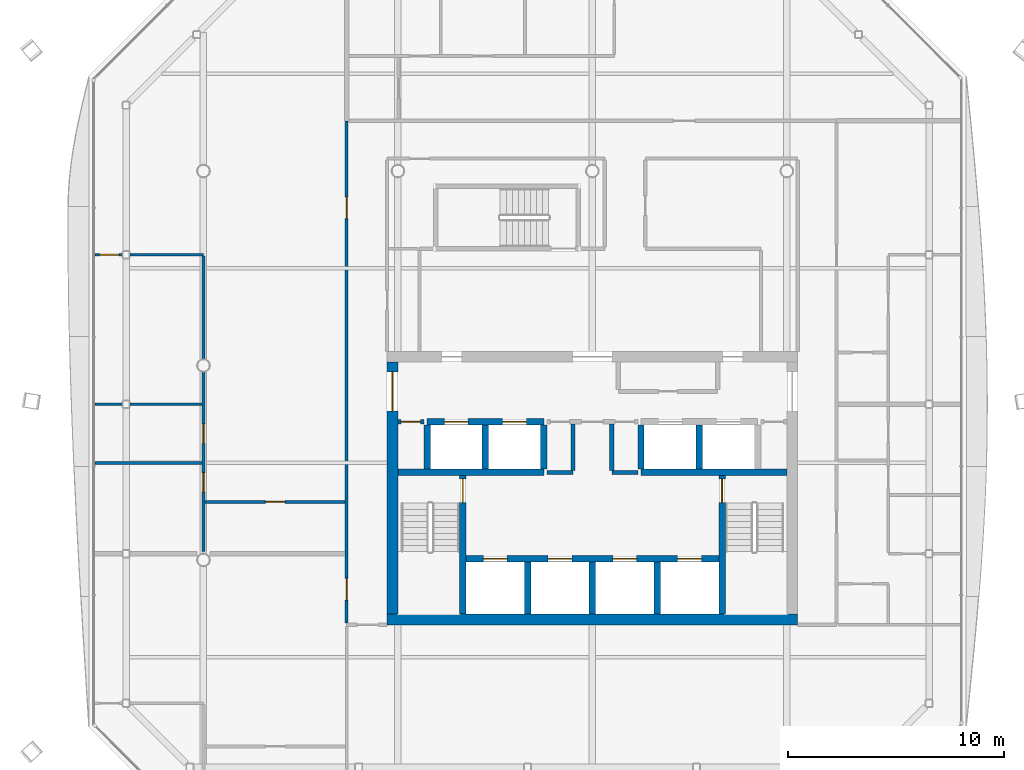
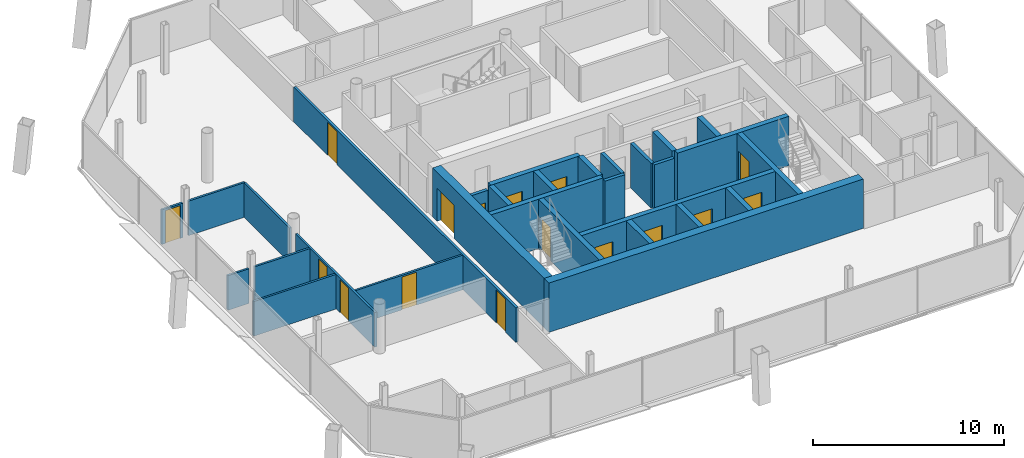
# One storey, part 14 of 20: 30 walls, 16 doors, 16 openings.
"""IFC4 building model written with IfcOpenShell, lengths in metres."""

import ifcopenshell
import ifcopenshell.guid

model = None  # the IFC model being written
_history = None  # IfcOwnerHistory: only IFC2X3 demands one
_inside = {}  # id of a spatial element -> (the spatial element, [elements in it])
_under = {}  # id of a project, library or spatial element -> (it, [spatial elements below it])
_declared = {}  # id of a project -> (the project, [libraries it declares])
_typed = {}  # id of a type object -> (the type object, [elements of that type])
_made_of = {}  # id of a material, layer set ... -> (it, [elements and type objects made of it])


def new_model(schema):
    """Start an empty IFC model of exactly this schema.

    Asked for "IFC4X3", IfcOpenShell would pick the latest addendum, in which some entities
    have other attributes; the version numbers below select the first issue.
    IFC2X3 requires an IfcOwnerHistory on every rooted entity: one is made here for all.
    """
    global model, _history
    if schema == "IFC4X3":
        model = ifcopenshell.file(schema_version=(4, 3, 0, 0))
    else:
        model = ifcopenshell.file(schema=schema)
    _inside.clear()
    _under.clear()
    _declared.clear()
    _typed.clear()
    _made_of.clear()
    _history = None
    if model.schema == "IFC2X3":
        org = make("IfcOrganization", Name="unknown")
        user = make(
            "IfcPersonAndOrganization",
            ThePerson=make("IfcPerson", FamilyName="unknown"),
            TheOrganization=org,
        )
        app = make(
            "IfcApplication",
            ApplicationDeveloper=org,
            Version="unknown",
            ApplicationFullName="unknown",
            ApplicationIdentifier="unknown",
        )
        _history = make(
            "IfcOwnerHistory",
            OwningUser=user,
            OwningApplication=app,
            ChangeAction="ADDED",
            CreationDate=0,
        )
    return model


def make(cls, **values):
    """One entity of the class cls with the attributes given. An attribute that is None is left unset."""
    return model.create_entity(
        cls, **{name: value for name, value in values.items() if value is not None}
    )


def rooted(cls, **values):
    """An entity with a GlobalId (a new one), such as an element, a storey or a relation."""
    return make(cls, GlobalId=ifcopenshell.guid.new(), OwnerHistory=_history, **values)


def si_unit(unit_type, name, prefix=None):
    """IfcSIUnit, for example si_unit("LENGTHUNIT", "METRE", prefix="MILLI")."""
    return make("IfcSIUnit", UnitType=unit_type, Prefix=prefix, Name=name)


def assignment(units):
    """IfcUnitAssignment: the units of a project."""
    return None if units is None else make("IfcUnitAssignment", Units=units)


def point(xyz):
    """IfcCartesianPoint."""
    return None if xyz is None else make("IfcCartesianPoint", Coordinates=xyz)


def direction(xyz):
    """IfcDirection."""
    return None if xyz is None else make("IfcDirection", DirectionRatios=xyz)


def frame(location, z_axis=None, x_axis=None):
    """IfcAxis2Placement3D, a coordinate frame: its origin and axes. An axis left out is left unset."""
    return make(
        "IfcAxis2Placement3D",
        Location=point(location),
        Axis=direction(z_axis),
        RefDirection=direction(x_axis),
    )


def frame_2d(location, x_axis=None):
    """IfcAxis2Placement2D, a coordinate frame in the plane: its origin and x axis."""
    return make(
        "IfcAxis2Placement2D", Location=point(location), RefDirection=direction(x_axis)
    )


def origin():
    """The frame at (0, 0, 0) with its axes left unset."""
    return frame((0.0, 0.0, 0.0))


def place(relative_to, where):
    """IfcLocalPlacement: puts the frame where relative to a parent placement (None: the world)."""
    return make(
        "IfcLocalPlacement", PlacementRelTo=relative_to, RelativePlacement=where
    )


def context(
    kind, dimensions, precision=None, world=None, true_north=None, identifier=None
):
    """IfcGeometricRepresentationContext, for example the 3D "Model" context."""
    return make(
        "IfcGeometricRepresentationContext",
        ContextIdentifier=identifier,
        ContextType=kind,
        CoordinateSpaceDimension=dimensions,
        Precision=precision,
        WorldCoordinateSystem=world,
        TrueNorth=true_north,
    )


def subcontext(parent, identifier, kind, view, scale=None):
    """IfcGeometricRepresentationSubContext, for example "Body" below "Model"."""
    return make(
        "IfcGeometricRepresentationSubContext",
        ContextIdentifier=identifier,
        ContextType=kind,
        ParentContext=parent,
        TargetScale=scale,
        TargetView=view,
    )


def project(units=None, contexts=None):
    """IfcProject with its units and contexts."""
    return rooted(
        "IfcProject",
        Name="project",
        RepresentationContexts=contexts,
        UnitsInContext=assignment(units),
    )


def spatial(cls, under=None, at=None, **own):
    """A site, building, storey or space (cls), placed at a placement, below another one or the project."""
    s = rooted(cls, ObjectPlacement=at, **own)
    if under is not None:
        _under.setdefault(under.id(), (under, []))[1].append(s)
    return s


def profile(cls, at=None, kind="AREA", **sizes):
    """A parametric profile (cls). Its sizes go by their IFC names, for example OverallWidth=200.0."""
    return make(cls, ProfileType=kind, Position=at, **sizes)


def rectangle(**sizes):
    """IfcRectangleProfileDef."""
    return profile("IfcRectangleProfileDef", **sizes)


def extrude(swept, where, along, depth):
    """IfcExtrudedAreaSolid: the profile swept, set in the frame where, extruded along a direction by depth."""
    return make(
        "IfcExtrudedAreaSolid",
        SweptArea=swept,
        Position=where,
        ExtrudedDirection=direction(along),
        Depth=depth,
    )


def shape(context_of_items, identifier, shape_type, items):
    """IfcShapeRepresentation: the items that make up one representation, for example the "Body"."""
    return make(
        "IfcShapeRepresentation",
        ContextOfItems=context_of_items,
        RepresentationIdentifier=identifier,
        RepresentationType=shape_type,
        Items=items,
    )


def material(Name=None, Category=None):
    """IfcMaterial."""
    return make("IfcMaterial", Name=Name, Category=Category)


def layer(
    of_material, thickness, ventilated=None, Name=None, Category=None, Priority=None
):
    """IfcMaterialLayer: one layer of a wall or slab, of a material (None: an air gap)."""
    return make(
        "IfcMaterialLayer",
        Material=of_material,
        LayerThickness=thickness,
        IsVentilated=ventilated,
        Name=Name,
        Category=Category,
        Priority=Priority,
    )


def layer_set(layers, Name=None):
    """IfcMaterialLayerSet."""
    return make("IfcMaterialLayerSet", MaterialLayers=layers, LayerSetName=Name)


def made_of(thing, what):
    """Note that an element or type object is made of a material, layer set ...; save() writes the relation."""
    if what is not None:
        _made_of.setdefault(what.id(), (what, []))[1].append(thing)
    return thing


def type_object(cls, material=None, **own):
    """A type object (cls), such as IfcWallType, which elements share."""
    return made_of(rooted(cls, **own), material)


def element(
    cls,
    number,
    at=None,
    inside=None,
    cuts=None,
    type_object=None,
    material=None,
    context=None,
    identifier="Body",
    shape_type=None,
    held_by="IfcProductDefinitionShape",
    body=None,
    shapes=None,
    **own,
):
    """One element of the class cls, such as IfcWall. Its Tag is "e" and its number.

    at: its placement. inside: the storey or other place that contains it. cuts: it is an
    opening in that element (IfcRelVoidsElement). A single representation is given by context,
    identifier, shape_type and body (its items); several are given by shapes. held_by: the class
    of the entity that holds the representations. save() writes the other relations.
    """
    e = rooted(cls, Tag="e%d" % number, ObjectPlacement=at, **own)
    if body is not None:
        shapes = [shape(context, identifier, shape_type, body)]
    if shapes is not None:
        e.Representation = make(held_by, Representations=shapes)
    if inside is not None:
        _inside.setdefault(inside.id(), (inside, []))[1].append(e)
    if cuts is not None:
        rooted(
            "IfcRelVoidsElement", RelatingBuildingElement=cuts, RelatedOpeningElement=e
        )
    if type_object is not None:
        _typed.setdefault(type_object.id(), (type_object, []))[1].append(e)
    return made_of(e, material)


def fill(opening, filler):
    """IfcRelFillsElement: the door or window that sits in an opening."""
    return rooted(
        "IfcRelFillsElement",
        RelatingOpeningElement=opening,
        RelatedBuildingElement=filler,
    )


def aggregate(whole, parts):
    """IfcRelAggregates: a whole, such as a stair, and the parts it consists of."""
    return rooted("IfcRelAggregates", RelatingObject=whole, RelatedObjects=parts)


def save(model, path):
    """Write the relations noted so far, then the file.

    IfcRelAggregates (storeys below a building ...), IfcRelContainedInSpatialStructure (elements
    in a storey), IfcRelDefinesByType, IfcRelAssociatesMaterial and IfcRelDeclares: one each for
    every whole, place, type object, material and project.
    """
    for whole, parts in _under.values():
        aggregate(whole, parts)
    for where, things in _inside.values():
        rooted(
            "IfcRelContainedInSpatialStructure",
            RelatedElements=things,
            RelatingStructure=where,
        )
    for kind, things in _typed.values():
        rooted("IfcRelDefinesByType", RelatedObjects=things, RelatingType=kind)
    for what, things in _made_of.values():
        rooted("IfcRelAssociatesMaterial", RelatedObjects=things, RelatingMaterial=what)
    for by, libraries in _declared.values():
        rooted("IfcRelDeclares", RelatingContext=by, RelatedDefinitions=libraries)
    model.write(path)


model = new_model("IFC4")

# Units and contexts
model_context = context("Model", 3, precision=1e-05, world=origin(), true_north=direction((0.0, 1.0)))
body_context = subcontext(model_context, "Body", "Model", "MODEL_VIEW")
ifc_project = project(units=[si_unit("LENGTHUNIT", "METRE"), si_unit("AREAUNIT", "SQUARE_METRE"), si_unit("VOLUMEUNIT", "CUBIC_METRE"), si_unit("PLANEANGLEUNIT", "RADIAN"), si_unit("MASSUNIT", "GRAM", prefix="KILO")], contexts=[model_context])

# Site, building, storey
site_placement = place(None, origin())
site = spatial("IfcSite", under=ifc_project, at=site_placement, CompositionType="ELEMENT")
building_placement = place(site_placement, origin())
building = spatial("IfcBuilding", under=site, at=building_placement, Name="Tskaro Facet Tower", CompositionType="ELEMENT")
storey_placement = place(building_placement, frame((0.0, 0.0, 194.25)))
storey = spatial("IfcBuildingStorey", under=building, at=storey_placement, Name="L49", CompositionType="ELEMENT", Elevation=194.25)

# Wall, openings, doors
ifc_material_1 = material(Name="Concrete C60/75", Category="concrete")
ifc_layer_1 = layer(ifc_material_1, 0.300048828125, Name="Concrete C60/75")
ifc_layer_set_1 = layer_set([ifc_layer_1], Name="Concrete C60/75")
wall_type_1 = type_object("IfcWallType", Name="CORE-SHAFT", PredefinedType="SHEAR", material=ifc_layer_set_1)
wall_1_placement = place(storey_placement, frame((-5.85009765625, -8.949951171875, 0.0), z_axis=(0.0, 0.0, 1.0), x_axis=(1.0, 0.0, 0.0)))
wall_1 = element("IfcWall", 1, at=wall_1_placement, inside=storey, type_object=wall_type_1, Name="Shaft wall W008", PredefinedType="SHEAR", context=body_context, shape_type="SweptSolid", body=[
    extrude(rectangle(XDim=11.7001953125, YDim=0.300048828125, at=frame_2d((5.85009765625, 0.0))), origin(), (0.0, 0.0, 1.0), 3.14990234375),
])
opening_1_placement = place(wall_1_placement, frame((0.800048828125, 0.0, 0.0)))
opening_1 = element("IfcOpeningElement", 2, at=opening_1_placement, cuts=wall_1, Name="Opening LD-FF1", PredefinedType="OPENING", context=body_context, shape_type="SweptSolid", body=[
    extrude(rectangle(XDim=1.10009765625, YDim=2.10009765625, at=frame_2d((0.550048828125, 1.050048828125))), frame((0.0, 0.159912109375, 0.0), z_axis=(0.0, -1.0, 0.0), x_axis=(1.0, 0.0, 0.0)), (0.0, 0.0, 1.0), 0.320068359375),
])
opening_2_placement = place(wall_1_placement, frame((3.800048828125, 0.0, 0.0)))
opening_2 = element("IfcOpeningElement", 3, at=opening_2_placement, cuts=wall_1, Name="Opening LD-FF2", PredefinedType="OPENING", context=body_context, shape_type="SweptSolid", body=[
    extrude(rectangle(XDim=1.10009765625, YDim=2.10009765625, at=frame_2d((0.550048828125, 1.050048828125))), frame((0.0, 0.159912109375, 0.0), z_axis=(0.0, -1.0, 0.0), x_axis=(1.0, 0.0, 0.0)), (0.0, 0.0, 1.0), 0.320068359375),
])
opening_3_placement = place(wall_1_placement, frame((6.800048828125, 0.0, 0.0)))
opening_3 = element("IfcOpeningElement", 4, at=opening_3_placement, cuts=wall_1, Name="Opening LD-SV1", PredefinedType="OPENING", context=body_context, shape_type="SweptSolid", body=[
    extrude(rectangle(XDim=1.10009765625, YDim=2.10009765625, at=frame_2d((0.550048828125, 1.050048828125))), frame((0.0, 0.159912109375, 0.0), z_axis=(0.0, -1.0, 0.0), x_axis=(1.0, 0.0, 0.0)), (0.0, 0.0, 1.0), 0.320068359375),
])
opening_4_placement = place(wall_1_placement, frame((9.800048828125, 0.0, 0.0)))
opening_4 = element("IfcOpeningElement", 5, at=opening_4_placement, cuts=wall_1, Name="Opening LD-SV2", PredefinedType="OPENING", context=body_context, shape_type="SweptSolid", body=[
    extrude(rectangle(XDim=1.10009765625, YDim=2.10009765625, at=frame_2d((0.550048828125, 1.050048828125))), frame((0.0, 0.159912109375, 0.0), z_axis=(0.0, -1.0, 0.0), x_axis=(1.0, 0.0, 0.0)), (0.0, 0.0, 1.0), 0.320068359375),
])
ifc_material_2 = material(Name="Stainless steel", Category="steel")
door_type_1 = type_object("IfcDoorType", Name="D-LANDING", OperationType="NOTDEFINED", PredefinedType="DOOR", material=ifc_material_2)
door_1_placement = place(opening_1_placement, origin())
door_1 = element("IfcDoor", 6, at=door_1_placement, inside=storey, type_object=door_type_1, Name="Landing door FF1", OperationType="DOUBLE_DOOR_SLIDING", OverallHeight=2.10009765625, OverallWidth=1.10009765625, PredefinedType="DOOR", context=body_context, shape_type="SweptSolid", body=[
    extrude(rectangle(XDim=1.10009765625, YDim=2.10009765625, at=frame_2d((0.550048828125, 1.050048828125))), frame((0.0, 0.02490234375, 0.0), z_axis=(0.0, -1.0, 0.0), x_axis=(1.0, 0.0, 0.0)), (0.0, 0.0, 1.0), 0.050048828125),
])
fill(opening_1, door_1)
door_2_placement = place(opening_2_placement, origin())
door_2 = element("IfcDoor", 7, at=door_2_placement, inside=storey, type_object=door_type_1, Name="Landing door FF2", OperationType="DOUBLE_DOOR_SLIDING", OverallHeight=2.10009765625, OverallWidth=1.10009765625, PredefinedType="DOOR", context=body_context, shape_type="SweptSolid", body=[
    extrude(rectangle(XDim=1.10009765625, YDim=2.10009765625, at=frame_2d((0.550048828125, 1.050048828125))), frame((0.0, 0.02490234375, 0.0), z_axis=(0.0, -1.0, 0.0), x_axis=(1.0, 0.0, 0.0)), (0.0, 0.0, 1.0), 0.050048828125),
])
fill(opening_2, door_2)
door_3_placement = place(opening_3_placement, origin())
door_3 = element("IfcDoor", 8, at=door_3_placement, inside=storey, type_object=door_type_1, Name="Landing door SV1", OperationType="DOUBLE_DOOR_SLIDING", OverallHeight=2.10009765625, OverallWidth=1.10009765625, PredefinedType="DOOR", context=body_context, shape_type="SweptSolid", body=[
    extrude(rectangle(XDim=1.10009765625, YDim=2.10009765625, at=frame_2d((0.550048828125, 1.050048828125))), frame((0.0, 0.02490234375, 0.0), z_axis=(0.0, -1.0, 0.0), x_axis=(1.0, 0.0, 0.0)), (0.0, 0.0, 1.0), 0.050048828125),
])
fill(opening_3, door_3)
door_4_placement = place(opening_4_placement, origin())
door_4 = element("IfcDoor", 9, at=door_4_placement, inside=storey, type_object=door_type_1, Name="Landing door SV2", OperationType="DOUBLE_DOOR_SLIDING", OverallHeight=2.10009765625, OverallWidth=1.10009765625, PredefinedType="DOOR", context=body_context, shape_type="SweptSolid", body=[
    extrude(rectangle(XDim=1.10009765625, YDim=2.10009765625, at=frame_2d((0.550048828125, 1.050048828125))), frame((0.0, 0.02490234375, 0.0), z_axis=(0.0, -1.0, 0.0), x_axis=(1.0, 0.0, 0.0)), (0.0, 0.0, 1.0), 0.050048828125),
])
fill(opening_4, door_4)

# Walls
for number, where, z_axis, x_axis, name in (
    (10, (-9.0, -4.949951171875, 0.0), (0.0, 0.0, 1.0), (1.0, 0.0, 0.0), "Shaft wall W016"),
    (11, (2.25, -4.949951171875, 0.0), (0.0, 0.0, 1.0), (1.0, 0.0, 0.0), "Shaft wall W019"),
):
    element("IfcWall", number, at=place(storey_placement, frame(where, z_axis=z_axis, x_axis=x_axis)), inside=storey, type_object=wall_type_1, Name=name, PredefinedType="SHEAR", context=body_context, shape_type="SweptSolid", body=[
        extrude(rectangle(XDim=6.75, YDim=0.300048828125, at=frame_2d((3.375, 0.0))), origin(), (0.0, 0.0, 1.0), 3.14990234375),
    ])

# Wall, openings, doors
wall_2_placement = place(storey_placement, frame((-7.64990234375, -2.60009765625, 0.0), z_axis=(0.0, 0.0, 1.0), x_axis=(1.0, 0.0, 0.0)))
wall_2 = element("IfcWall", 12, at=wall_2_placement, inside=storey, type_object=wall_type_1, Name="Shaft wall W023", PredefinedType="SHEAR", context=body_context, shape_type="SweptSolid", body=[
    extrude(rectangle(XDim=5.39990234375, YDim=0.300048828125, at=frame_2d((2.699951171875, 0.0))), origin(), (0.0, 0.0, 1.0), 3.14990234375),
])
opening_5_placement = place(wall_2_placement, frame((0.800048828125, 0.0, 0.0)))
opening_5 = element("IfcOpeningElement", 13, at=opening_5_placement, cuts=wall_2, Name="Opening LD-HB1", PredefinedType="OPENING", context=body_context, shape_type="SweptSolid", body=[
    extrude(rectangle(XDim=1.10009765625, YDim=2.10009765625, at=frame_2d((0.550048828125, 1.050048828125))), frame((0.0, 0.159912109375, 0.0), z_axis=(0.0, -1.0, 0.0), x_axis=(1.0, 0.0, 0.0)), (0.0, 0.0, 1.0), 0.320068359375),
])
opening_6_placement = place(wall_2_placement, frame((3.5, 0.0, 0.0)))
opening_6 = element("IfcOpeningElement", 14, at=opening_6_placement, cuts=wall_2, Name="Opening LD-HB2", PredefinedType="OPENING", context=body_context, shape_type="SweptSolid", body=[
    extrude(rectangle(XDim=1.10009765625, YDim=2.10009765625, at=frame_2d((0.550048828125, 1.050048828125))), frame((0.0, 0.159912109375, 0.0), z_axis=(0.0, -1.0, 0.0), x_axis=(1.0, 0.0, 0.0)), (0.0, 0.0, 1.0), 0.320068359375),
])
door_5_placement = place(opening_5_placement, origin())
door_5 = element("IfcDoor", 15, at=door_5_placement, inside=storey, type_object=door_type_1, Name="Landing door HB1", OperationType="DOUBLE_DOOR_SLIDING", OverallHeight=2.10009765625, OverallWidth=1.10009765625, PredefinedType="DOOR", context=body_context, shape_type="SweptSolid", body=[
    extrude(rectangle(XDim=1.10009765625, YDim=2.10009765625, at=frame_2d((0.550048828125, 1.050048828125))), frame((0.0, 0.02490234375, 0.0), z_axis=(0.0, -1.0, 0.0), x_axis=(1.0, 0.0, 0.0)), (0.0, 0.0, 1.0), 0.050048828125),
])
fill(opening_5, door_5)
door_6_placement = place(opening_6_placement, origin())
door_6 = element("IfcDoor", 16, at=door_6_placement, inside=storey, type_object=door_type_1, Name="Landing door HB2", OperationType="DOUBLE_DOOR_SLIDING", OverallHeight=2.10009765625, OverallWidth=1.10009765625, PredefinedType="DOOR", context=body_context, shape_type="SweptSolid", body=[
    extrude(rectangle(XDim=1.10009765625, YDim=2.10009765625, at=frame_2d((0.550048828125, 1.050048828125))), frame((0.0, 0.02490234375, 0.0), z_axis=(0.0, -1.0, 0.0), x_axis=(1.0, 0.0, 0.0)), (0.0, 0.0, 1.0), 0.050048828125),
])
fill(opening_6, door_6)

# Wall
wall_3_placement = place(storey_placement, frame((-7.64990234375, -4.800048828125, 0.0), z_axis=(0.0, 0.0, 1.0), x_axis=(0.0, 1.0, 0.0)))
element("IfcWall", 17, at=wall_3_placement, inside=storey, type_object=wall_type_1, Name="Shaft wall W057", PredefinedType="SHEAR", context=body_context, shape_type="SweptSolid", body=[
    extrude(rectangle(XDim=2.050048828125, YDim=0.300048828125, at=frame_2d((1.02490234375, 0.0))), origin(), (0.0, 0.0, 1.0), 3.14990234375),
])

# Wall, opening, door
wall_4_placement = place(storey_placement, frame((-6.0, -11.5, 0.0), z_axis=(0.0, 0.0, 1.0), x_axis=(0.0, 1.0, 0.0)))
wall_4 = element("IfcWall", 18, at=wall_4_placement, inside=storey, type_object=wall_type_1, Name="Shaft wall W061", PredefinedType="SHEAR", context=body_context, shape_type="SweptSolid", body=[
    extrude(rectangle(XDim=6.39990234375, YDim=0.300048828125, at=frame_2d((3.199951171875, 0.0))), origin(), (0.0, 0.0, 1.0), 3.14990234375),
])
opening_7_placement = place(wall_4_placement, frame((5.14990234375, 0.0, 0.0)))
opening_7 = element("IfcOpeningElement", 19, at=opening_7_placement, cuts=wall_4, Name="Opening ST-1-D1", PredefinedType="OPENING", context=body_context, shape_type="SweptSolid", body=[
    extrude(rectangle(XDim=1.10009765625, YDim=2.10009765625, at=frame_2d((0.550048828125, 1.050048828125))), frame((0.0, 0.159912109375, 0.0), z_axis=(0.0, -1.0, 0.0), x_axis=(1.0, 0.0, 0.0)), (0.0, 0.0, 1.0), 0.320068359375),
])
ifc_material_3 = material(Name="Steel", Category="steel")
door_type_2 = type_object("IfcDoorType", Name="D-STAIR", OperationType="NOTDEFINED", PredefinedType="DOOR", material=ifc_material_3)
door_7_placement = place(opening_7_placement, origin())
door_7 = element("IfcDoor", 20, at=door_7_placement, inside=storey, type_object=door_type_2, Name="Stair door 1", OperationType="SINGLE_SWING_LEFT", OverallHeight=2.10009765625, OverallWidth=1.10009765625, PredefinedType="DOOR", context=body_context, shape_type="SweptSolid", body=[
    extrude(rectangle(XDim=1.10009765625, YDim=2.10009765625, at=frame_2d((0.550048828125, 1.050048828125))), frame((0.0, 0.02490234375, 0.0), z_axis=(0.0, -1.0, 0.0), x_axis=(1.0, 0.0, 0.0)), (0.0, 0.0, 1.0), 0.050048828125),
])
fill(opening_7, door_7)

# Walls
wall_5_placement = place(storey_placement, frame((-4.949951171875, -4.800048828125, 0.0), z_axis=(0.0, 0.0, 1.0), x_axis=(0.0, 1.0, 0.0)))
element("IfcWall", 21, at=wall_5_placement, inside=storey, type_object=wall_type_1, Name="Shaft wall W062", PredefinedType="SHEAR", context=body_context, shape_type="SweptSolid", body=[
    extrude(rectangle(XDim=2.050048828125, YDim=0.300048828125, at=frame_2d((1.02490234375, 0.0))), origin(), (0.0, 0.0, 1.0), 3.14990234375),
])
wall_6_placement = place(storey_placement, frame((-3.0, -11.5, 0.0), z_axis=(0.0, 0.0, 1.0), x_axis=(0.0, 1.0, 0.0)))
element("IfcWall", 22, at=wall_6_placement, inside=storey, type_object=wall_type_1, Name="Shaft wall W064", PredefinedType="SHEAR", context=body_context, shape_type="SweptSolid", body=[
    extrude(rectangle(XDim=2.39990234375, YDim=0.300048828125, at=frame_2d((1.199951171875, 0.0))), origin(), (0.0, 0.0, 1.0), 3.14990234375),
])
wall_7_placement = place(storey_placement, frame((-2.25, -4.800048828125, 0.0), z_axis=(0.0, 0.0, 1.0), x_axis=(0.0, 1.0, 0.0)))
element("IfcWall", 23, at=wall_7_placement, inside=storey, type_object=wall_type_1, Name="Shaft wall W065", PredefinedType="SHEAR", context=body_context, shape_type="SweptSolid", body=[
    extrude(rectangle(XDim=2.050048828125, YDim=0.300048828125, at=frame_2d((1.02490234375, 0.0))), origin(), (0.0, 0.0, 1.0), 3.14990234375),
])
wall_8_placement = place(storey_placement, frame((0.0, -11.5, 0.0), z_axis=(0.0, 0.0, 1.0), x_axis=(0.0, 1.0, 0.0)))
element("IfcWall", 24, at=wall_8_placement, inside=storey, type_object=wall_type_1, Name="Shaft wall W068", PredefinedType="SHEAR", context=body_context, shape_type="SweptSolid", body=[
    extrude(rectangle(XDim=2.39990234375, YDim=0.300048828125, at=frame_2d((1.199951171875, 0.0))), origin(), (0.0, 0.0, 1.0), 3.14990234375),
])
wall_9_placement = place(storey_placement, frame((2.25, -4.800048828125, 0.0), z_axis=(0.0, 0.0, 1.0), x_axis=(0.0, 1.0, 0.0)))
element("IfcWall", 25, at=wall_9_placement, inside=storey, type_object=wall_type_1, Name="Shaft wall W074", PredefinedType="SHEAR", context=body_context, shape_type="SweptSolid", body=[
    extrude(rectangle(XDim=2.050048828125, YDim=0.300048828125, at=frame_2d((1.02490234375, 0.0))), origin(), (0.0, 0.0, 1.0), 3.14990234375),
])
wall_10_placement = place(storey_placement, frame((3.0, -11.5, 0.0), z_axis=(0.0, 0.0, 1.0), x_axis=(0.0, 1.0, 0.0)))
element("IfcWall", 26, at=wall_10_placement, inside=storey, type_object=wall_type_1, Name="Shaft wall W076", PredefinedType="SHEAR", context=body_context, shape_type="SweptSolid", body=[
    extrude(rectangle(XDim=2.39990234375, YDim=0.300048828125, at=frame_2d((1.199951171875, 0.0))), origin(), (0.0, 0.0, 1.0), 3.14990234375),
])
wall_11_placement = place(storey_placement, frame((4.949951171875, -4.800048828125, 0.0), z_axis=(0.0, 0.0, 1.0), x_axis=(0.0, 1.0, 0.0)))
element("IfcWall", 27, at=wall_11_placement, inside=storey, type_object=wall_type_1, Name="Shaft wall W077", PredefinedType="SHEAR", context=body_context, shape_type="SweptSolid", body=[
    extrude(rectangle(XDim=2.050048828125, YDim=0.300048828125, at=frame_2d((1.02490234375, 0.0))), origin(), (0.0, 0.0, 1.0), 3.14990234375),
])

# Wall, opening, door
wall_12_placement = place(storey_placement, frame((6.0, -5.10009765625, 0.0), z_axis=(0.0, 0.0, 1.0), x_axis=(0.0, -1.0, 0.0)))
wall_12 = element("IfcWall", 28, at=wall_12_placement, inside=storey, type_object=wall_type_1, Name="Shaft wall W079", PredefinedType="SHEAR", context=body_context, shape_type="SweptSolid", body=[
    extrude(rectangle(XDim=6.39990234375, YDim=0.300048828125, at=frame_2d((3.199951171875, 0.0))), origin(), (0.0, 0.0, 1.0), 3.14990234375),
])
opening_8_placement = place(wall_12_placement, frame((0.14990234375, 0.0, 0.0)))
opening_8 = element("IfcOpeningElement", 29, at=opening_8_placement, cuts=wall_12, Name="Opening ST-2-D1", PredefinedType="OPENING", context=body_context, shape_type="SweptSolid", body=[
    extrude(rectangle(XDim=1.10009765625, YDim=2.10009765625, at=frame_2d((0.550048828125, 1.050048828125))), frame((0.0, 0.159912109375, 0.0), z_axis=(0.0, -1.0, 0.0), x_axis=(1.0, 0.0, 0.0)), (0.0, 0.0, 1.0), 0.320068359375),
])
door_8_placement = place(opening_8_placement, origin())
door_8 = element("IfcDoor", 30, at=door_8_placement, inside=storey, type_object=door_type_2, Name="Stair door 2", OperationType="SINGLE_SWING_RIGHT", OverallHeight=2.10009765625, OverallWidth=1.10009765625, PredefinedType="DOOR", context=body_context, shape_type="SweptSolid", body=[
    extrude(rectangle(XDim=1.10009765625, YDim=2.10009765625, at=frame_2d((0.550048828125, 1.050048828125))), frame((0.0, 0.02490234375, 0.0), z_axis=(0.0, -1.0, 0.0), x_axis=(1.0, 0.0, 0.0)), (0.0, 0.0, 1.0), 0.050048828125),
])
fill(opening_8, door_8)

# Walls
ifc_material_4 = material(Name="Concrete C20/25", Category="concrete")
ifc_layer_2 = layer(ifc_material_4, 0.199951171875, Name="Concrete C20/25")
ifc_layer_set_2 = layer_set([ifc_layer_2], Name="Concrete C20/25")
wall_type_2 = type_object("IfcWallType", Name="CORE-WALL", PredefinedType="SOLIDWALL", material=ifc_layer_set_2)
for number, where, z_axis, x_axis, name in (
    (31, (-2.10009765625, -4.949951171875, 0.0), (0.0, 0.0, 1.0), (1.0, 0.0, 0.0), "Core room wall W017"),
    (32, (0.89990234375, -4.949951171875, 0.0), (0.0, 0.0, 1.0), (1.0, 0.0, 0.0), "Core room wall W018"),
):
    element("IfcWall", number, at=place(storey_placement, frame(where, z_axis=z_axis, x_axis=x_axis)), inside=storey, type_object=wall_type_2, Name=name, PredefinedType="SOLIDWALL", context=body_context, shape_type="SweptSolid", body=[
        extrude(rectangle(XDim=1.2001953125, YDim=0.199951171875, at=frame_2d((0.60009765625, 0.0))), origin(), (0.0, 0.0, 1.0), 2.85009765625),
    ])

# Wall, opening, door
wall_13_placement = place(storey_placement, frame((-7.800048828125, -2.60009765625, 0.0), z_axis=(0.0, 0.0, 1.0), x_axis=(-1.0, 0.0, 0.0)))
wall_13 = element("IfcWall", 33, at=wall_13_placement, inside=storey, type_object=wall_type_2, Name="Core room wall W022", PredefinedType="SOLIDWALL", context=body_context, shape_type="SweptSolid", body=[
    extrude(rectangle(XDim=1.199951171875, YDim=0.199951171875, at=frame_2d((0.60009765625, 0.0))), origin(), (0.0, 0.0, 1.0), 2.85009765625),
])
opening_9_placement = place(wall_13_placement, frame((0.14990234375, 0.0, 0.0)))
opening_9 = element("IfcOpeningElement", 34, at=opening_9_placement, cuts=wall_13, Name="Opening T14-D13", PredefinedType="OPENING", context=body_context, shape_type="SweptSolid", body=[
    extrude(rectangle(XDim=0.89990234375, YDim=2.10009765625, at=frame_2d((0.449951171875, 1.050048828125))), frame((0.0, 0.10986328125, 0.0), z_axis=(0.0, -1.0, 0.0), x_axis=(1.0, 0.0, 0.0)), (0.0, 0.0, 1.0), 0.219970703125),
])
ifc_material_5 = material(Name="Timber", Category="wood")
door_type_3 = type_object("IfcDoorType", Name="D-ROOM", OperationType="NOTDEFINED", PredefinedType="DOOR", material=ifc_material_5)
door_9_placement = place(opening_9_placement, origin())
door_9 = element("IfcDoor", 35, at=door_9_placement, inside=storey, type_object=door_type_3, Name="Door T14-D13", OperationType="SINGLE_SWING_RIGHT", OverallHeight=2.10009765625, OverallWidth=0.89990234375, PredefinedType="DOOR", context=body_context, shape_type="SweptSolid", body=[
    extrude(rectangle(XDim=0.89990234375, YDim=2.10009765625, at=frame_2d((0.449951171875, 1.050048828125))), frame((0.0, 0.02490234375, 0.0), z_axis=(0.0, -1.0, 0.0), x_axis=(1.0, 0.0, 0.0)), (0.0, 0.0, 1.0), 0.050048828125),
])
fill(opening_9, door_9)

# Walls
for number, where, z_axis, x_axis, name in (
    (36, (-0.89990234375, -4.85009765625, 0.0), (0.0, 0.0, 1.0), (0.0, 1.0, 0.0), "Core room wall W066"),
    (37, (0.89990234375, -4.85009765625, 0.0), (0.0, 0.0, 1.0), (0.0, 1.0, 0.0), "Core room wall W070"),
):
    element("IfcWall", number, at=place(storey_placement, frame(where, z_axis=z_axis, x_axis=x_axis)), inside=storey, type_object=wall_type_2, Name=name, PredefinedType="SOLIDWALL", context=body_context, shape_type="SweptSolid", body=[
        extrude(rectangle(XDim=2.150146484375, YDim=0.199951171875, at=frame_2d((1.0751953125, 0.0))), origin(), (0.0, 0.0, 1.0), 2.85009765625),
    ])
ifc_material_6 = material(Name="Concrete C40/50", Category="concrete")
ifc_layer_3 = layer(ifc_material_6, 0.5, Name="Concrete C40/50")
ifc_layer_set_3 = layer_set([ifc_layer_3], Name="Concrete C40/50")
wall_type_3 = type_object("IfcWallType", Name="Core wall 500", PredefinedType="SHEAR", material=ifc_layer_set_3)
wall_14_placement = place(storey_placement, frame((-9.5, -11.75, 0.0), z_axis=(0.0, 0.0, 1.0), x_axis=(1.0, 0.0, 0.0)))
element("IfcWall", 38, at=wall_14_placement, inside=storey, type_object=wall_type_3, Name="Core wall CW-Z3S", PredefinedType="SHEAR", context=body_context, shape_type="SweptSolid", body=[
    extrude(rectangle(XDim=19.0, YDim=0.5, at=frame_2d((9.5, 0.0))), origin(), (0.0, 0.0, 1.0), 3.14990234375),
])

# Wall, opening, door
wall_15_placement = place(storey_placement, frame((-9.25, -11.5, 0.0), z_axis=(0.0, 0.0, 1.0), x_axis=(0.0, 1.0, 0.0)))
wall_15 = element("IfcWall", 39, at=wall_15_placement, inside=storey, type_object=wall_type_3, Name="Core wall CW-Z3W", PredefinedType="SHEAR", context=body_context, shape_type="SweptSolid", body=[
    extrude(rectangle(XDim=11.64990234375, YDim=0.5, at=frame_2d((5.824951171875, 0.0))), origin(), (0.0, 0.0, 1.0), 3.14990234375),
])
opening_10_placement = place(wall_15_placement, frame((9.39990234375, 0.0, 0.0)))
opening_10 = element("IfcOpeningElement", 40, at=opening_10_placement, cuts=wall_15, Name="Opening T14-D17", PredefinedType="OPENING", context=body_context, shape_type="SweptSolid", body=[
    extrude(rectangle(XDim=1.800048828125, YDim=2.10009765625, at=frame_2d((0.89990234375, 1.050048828125))), frame((0.0, 0.260009765625, 0.0), z_axis=(0.0, -1.0, 0.0), x_axis=(1.0, 0.0, 0.0)), (0.0, 0.0, 1.0), 0.52001953125),
])
door_type_4 = type_object("IfcDoorType", Name="D-CORE-PAIR", OperationType="NOTDEFINED", PredefinedType="DOOR", material=ifc_material_3)
door_10_placement = place(opening_10_placement, origin())
door_10 = element("IfcDoor", 41, at=door_10_placement, inside=storey, type_object=door_type_4, Name="Door T14-D17", OperationType="DOUBLE_DOOR_SINGLE_SWING", OverallHeight=2.10009765625, OverallWidth=1.800048828125, PredefinedType="DOOR", context=body_context, shape_type="SweptSolid", body=[
    extrude(rectangle(XDim=1.800048828125, YDim=2.10009765625, at=frame_2d((0.89990234375, 1.050048828125))), frame((0.0, 0.02490234375, 0.0), z_axis=(0.0, -1.0, 0.0), x_axis=(1.0, 0.0, 0.0)), (0.0, 0.0, 1.0), 0.050048828125),
])
fill(opening_10, door_10)

ifc_material_7 = material(Name="Gypsum board on steel studs", Category="steel")
ifc_layer_4 = layer(ifc_material_7, 0.125, Name="Gypsum board on steel studs")
ifc_layer_set_4 = layer_set([ifc_layer_4], Name="Gypsum board on steel studs")
wall_type_4 = type_object("IfcWallType", Name="PART", PredefinedType="PARTITIONING", material=ifc_layer_set_4)
wall_16_placement = place(storey_placement, frame((-11.449951171875, -6.31494140625, 0.0), z_axis=(0.0, 0.0, 1.0), x_axis=(-1.0, 0.0, 0.0)))
wall_16 = element("IfcWall", 42, at=wall_16_placement, inside=storey, type_object=wall_type_4, Name="Partition W014", PredefinedType="PARTITIONING", context=body_context, shape_type="SweptSolid", body=[
    extrude(rectangle(XDim=6.487548828125, YDim=0.125, at=frame_2d((3.24365234375, 0.0))), origin(), (0.0, 0.0, 1.0), 2.2099609375),
])
opening_11_placement = place(wall_16_placement, frame((2.78759765625, 0.0, 0.0)))
opening_11 = element("IfcOpeningElement", 43, at=opening_11_placement, cuts=wall_16, Name="Opening T14-D08", PredefinedType="OPENING", context=body_context, shape_type="SweptSolid", body=[
    extrude(rectangle(XDim=0.89990234375, YDim=2.10009765625, at=frame_2d((0.449951171875, 1.050048828125))), frame((0.0, 0.072509765625, 0.0), z_axis=(0.0, -1.0, 0.0), x_axis=(1.0, 0.0, 0.0)), (0.0, 0.0, 1.0), 0.14501953125),
])
door_11_placement = place(opening_11_placement, origin())
door_11 = element("IfcDoor", 44, at=door_11_placement, inside=storey, type_object=door_type_3, Name="Door T14-D08", OperationType="SINGLE_SWING_RIGHT", OverallHeight=2.10009765625, OverallWidth=0.89990234375, PredefinedType="DOOR", context=body_context, shape_type="SweptSolid", body=[
    extrude(rectangle(XDim=0.89990234375, YDim=2.10009765625, at=frame_2d((0.449951171875, 1.050048828125))), frame((0.0, 0.02490234375, 0.0), z_axis=(0.0, -1.0, 0.0), x_axis=(1.0, 0.0, 0.0)), (0.0, 0.0, 1.0), 0.050048828125),
])
fill(opening_11, door_11)

# Walls
wall_17_placement = place(storey_placement, frame((-23.030029296875, -4.514892578125, 0.0), z_axis=(0.0, 0.0, 1.0), x_axis=(1.0, 0.0, 0.0)))
element("IfcWall", 45, at=wall_17_placement, inside=storey, type_object=wall_type_4, Name="Partition W020", PredefinedType="PARTITIONING", context=body_context, shape_type="SweptSolid", body=[
    extrude(rectangle(XDim=4.967529296875, YDim=0.125, at=frame_2d((2.48388671875, 0.0))), origin(), (0.0, 0.0, 1.0), 2.2099609375),
])
wall_18_placement = place(storey_placement, frame((-23.030029296875, -1.794921875, 0.0), z_axis=(0.0, 0.0, 1.0), x_axis=(1.0, 0.0, 0.0)))
element("IfcWall", 46, at=wall_18_placement, inside=storey, type_object=wall_type_4, Name="Partition W027", PredefinedType="PARTITIONING", context=body_context, shape_type="SweptSolid", body=[
    extrude(rectangle(XDim=1.27197265625, YDim=0.125, at=frame_2d((0.635986328125, 0.0))), origin(), (0.0, 0.0, 1.0), 2.2099609375),
])
wall_19_placement = place(storey_placement, frame((-21.407958984375, -1.794921875, 0.0), z_axis=(0.0, 0.0, 1.0), x_axis=(1.0, 0.0, 0.0)))
element("IfcWall", 47, at=wall_19_placement, inside=storey, type_object=wall_type_4, Name="Partition W028", PredefinedType="PARTITIONING", context=body_context, shape_type="SweptSolid", body=[
    extrude(rectangle(XDim=3.345458984375, YDim=0.125, at=frame_2d((1.6728515625, 0.0))), origin(), (0.0, 0.0, 1.0), 2.2099609375),
])

# Wall, opening, door
wall_20_placement = place(storey_placement, frame((-21.758056640625, 5.125, 0.0), z_axis=(0.0, 0.0, 1.0), x_axis=(-1.0, 0.0, 0.0)))
wall_20 = element("IfcWall", 48, at=wall_20_placement, inside=storey, type_object=wall_type_4, Name="Partition W033", PredefinedType="PARTITIONING", context=body_context, shape_type="SweptSolid", body=[
    extrude(rectangle(XDim=1.27197265625, YDim=0.125, at=frame_2d((0.635986328125, 0.0))), origin(), (0.0, 0.0, 1.0), 2.2099609375),
])
opening_12_placement = place(wall_20_placement, frame((0.14990234375, 0.0, 0.0)))
opening_12 = element("IfcOpeningElement", 49, at=opening_12_placement, cuts=wall_20, Name="Opening T14-D27", PredefinedType="OPENING", context=body_context, shape_type="SweptSolid", body=[
    extrude(rectangle(XDim=0.89990234375, YDim=2.10009765625, at=frame_2d((0.449951171875, 1.050048828125))), frame((0.0, 0.072509765625, 0.0), z_axis=(0.0, -1.0, 0.0), x_axis=(1.0, 0.0, 0.0)), (0.0, 0.0, 1.0), 0.14501953125),
])
door_12_placement = place(opening_12_placement, origin())
door_12 = element("IfcDoor", 50, at=door_12_placement, inside=storey, type_object=door_type_3, Name="Door T14-D27", OperationType="SINGLE_SWING_RIGHT", OverallHeight=2.10009765625, OverallWidth=0.89990234375, PredefinedType="DOOR", context=body_context, shape_type="SweptSolid", body=[
    extrude(rectangle(XDim=0.89990234375, YDim=2.10009765625, at=frame_2d((0.449951171875, 1.050048828125))), frame((0.0, 0.02490234375, 0.0), z_axis=(0.0, -1.0, 0.0), x_axis=(1.0, 0.0, 0.0)), (0.0, 0.0, 1.0), 0.050048828125),
])
fill(opening_12, door_12)

# Wall
wall_21_placement = place(storey_placement, frame((-21.407958984375, 5.125, 0.0), z_axis=(0.0, 0.0, 1.0), x_axis=(1.0, 0.0, 0.0)))
element("IfcWall", 51, at=wall_21_placement, inside=storey, type_object=wall_type_4, Name="Partition W034", PredefinedType="PARTITIONING", context=body_context, shape_type="SweptSolid", body=[
    extrude(rectangle(XDim=3.407958984375, YDim=0.125, at=frame_2d((1.7041015625, 0.0))), origin(), (0.0, 0.0, 1.0), 2.2099609375),
])

# Wall, openings, doors
wall_22_placement = place(storey_placement, frame((-18.0, -8.614990234375, 0.0), z_axis=(0.0, 0.0, 1.0), x_axis=(0.0, 1.0, 0.0)))
wall_22 = element("IfcWall", 52, at=wall_22_placement, inside=storey, type_object=wall_type_4, Name="Partition W049", PredefinedType="PARTITIONING", context=body_context, shape_type="SweptSolid", body=[
    extrude(rectangle(XDim=8.31005859375, YDim=0.125, at=frame_2d((4.155029296875, 0.0))), origin(), (0.0, 0.0, 1.0), 2.2099609375),
])
opening_13_placement = place(wall_22_placement, frame((2.75, 0.0, 0.0)))
opening_13 = element("IfcOpeningElement", 53, at=opening_13_placement, cuts=wall_22, Name="Opening T14-D09", PredefinedType="OPENING", context=body_context, shape_type="SweptSolid", body=[
    extrude(rectangle(XDim=0.89990234375, YDim=2.10009765625, at=frame_2d((0.449951171875, 1.050048828125))), frame((0.0, 0.072509765625, 0.0), z_axis=(0.0, -1.0, 0.0), x_axis=(1.0, 0.0, 0.0)), (0.0, 0.0, 1.0), 0.14501953125),
])
opening_14_placement = place(wall_22_placement, frame((5.010009765625, 0.0, 0.0)))
opening_14 = element("IfcOpeningElement", 54, at=opening_14_placement, cuts=wall_22, Name="Opening T14-D11", PredefinedType="OPENING", context=body_context, shape_type="SweptSolid", body=[
    extrude(rectangle(XDim=0.89990234375, YDim=2.10009765625, at=frame_2d((0.449951171875, 1.050048828125))), frame((0.0, 0.072509765625, 0.0), z_axis=(0.0, -1.0, 0.0), x_axis=(1.0, 0.0, 0.0)), (0.0, 0.0, 1.0), 0.14501953125),
])
door_13_placement = place(opening_13_placement, origin())
door_13 = element("IfcDoor", 55, at=door_13_placement, inside=storey, type_object=door_type_3, Name="Door T14-D09", OperationType="SINGLE_SWING_LEFT", OverallHeight=2.10009765625, OverallWidth=0.89990234375, PredefinedType="DOOR", context=body_context, shape_type="SweptSolid", body=[
    extrude(rectangle(XDim=0.89990234375, YDim=2.10009765625, at=frame_2d((0.449951171875, 1.050048828125))), frame((0.0, 0.02490234375, 0.0), z_axis=(0.0, -1.0, 0.0), x_axis=(1.0, 0.0, 0.0)), (0.0, 0.0, 1.0), 0.050048828125),
])
fill(opening_13, door_13)
door_14_placement = place(opening_14_placement, origin())
door_14 = element("IfcDoor", 56, at=door_14_placement, inside=storey, type_object=door_type_3, Name="Door T14-D11", OperationType="SINGLE_SWING_LEFT", OverallHeight=2.10009765625, OverallWidth=0.89990234375, PredefinedType="DOOR", context=body_context, shape_type="SweptSolid", body=[
    extrude(rectangle(XDim=0.89990234375, YDim=2.10009765625, at=frame_2d((0.449951171875, 1.050048828125))), frame((0.0, 0.02490234375, 0.0), z_axis=(0.0, -1.0, 0.0), x_axis=(1.0, 0.0, 0.0)), (0.0, 0.0, 1.0), 0.050048828125),
])
fill(opening_14, door_14)

# Wall
wall_23_placement = place(storey_placement, frame((-18.0, 0.304931640625, 0.0), z_axis=(0.0, 0.0, 1.0), x_axis=(0.0, 1.0, 0.0)))
element("IfcWall", 57, at=wall_23_placement, inside=storey, type_object=wall_type_4, Name="Partition W050", PredefinedType="PARTITIONING", context=body_context, shape_type="SweptSolid", body=[
    extrude(rectangle(XDim=4.757568359375, YDim=0.125, at=frame_2d((2.37890625, 0.0))), origin(), (0.0, 0.0, 1.0), 2.2099609375),
])

# Wall, openings, doors
ifc_layer_5 = layer(ifc_material_7, 0.14990234375, Name="Gypsum board on steel studs")
ifc_layer_set_5 = layer_set([ifc_layer_5], Name="Gypsum board on steel studs")
wall_type_5 = type_object("IfcWallType", Name="PART-CORR", PredefinedType="PARTITIONING", material=ifc_layer_set_5)
wall_24_placement = place(storey_placement, frame((-11.375, -11.925048828125, 0.0), z_axis=(0.0, 0.0, 1.0), x_axis=(0.0, 1.0, 0.0)))
wall_24 = element("IfcWall", 58, at=wall_24_placement, inside=storey, type_object=wall_type_5, Name="Corridor wall W052", PredefinedType="PARTITIONING", context=body_context, shape_type="SweptSolid", body=[
    extrude(rectangle(XDim=23.25, YDim=0.14990234375, at=frame_2d((11.625, 0.0))), origin(), (0.0, 0.0, 1.0), 2.2099609375),
])
opening_15_placement = place(wall_24_placement, frame((1.0673828125, 0.0, 0.0)))
opening_15 = element("IfcOpeningElement", 59, at=opening_15_placement, cuts=wall_24, Name="Opening T14-D04", PredefinedType="OPENING", context=body_context, shape_type="SweptSolid", body=[
    extrude(rectangle(XDim=1.0, YDim=2.10009765625, at=frame_2d((0.5, 1.050048828125))), frame((0.0, 0.0849609375, 0.0), z_axis=(0.0, -1.0, 0.0), x_axis=(1.0, 0.0, 0.0)), (0.0, 0.0, 1.0), 0.169921875),
])
opening_16_placement = place(wall_24_placement, frame((18.72509765625, 0.0, 0.0)))
opening_16 = element("IfcOpeningElement", 60, at=opening_16_placement, cuts=wall_24, Name="Opening T14-D28", PredefinedType="OPENING", context=body_context, shape_type="SweptSolid", body=[
    extrude(rectangle(XDim=1.0, YDim=2.10009765625, at=frame_2d((0.5, 1.050048828125))), frame((0.0, 0.0849609375, 0.0), z_axis=(0.0, -1.0, 0.0), x_axis=(1.0, 0.0, 0.0)), (0.0, 0.0, 1.0), 0.169921875),
])
door_type_5 = type_object("IfcDoorType", Name="D-FLAT-ENTRY", OperationType="NOTDEFINED", PredefinedType="DOOR", material=ifc_material_5)
door_15_placement = place(opening_15_placement, origin())
door_15 = element("IfcDoor", 61, at=door_15_placement, inside=storey, type_object=door_type_5, Name="Door T14-D04", OperationType="SINGLE_SWING_LEFT", OverallHeight=2.10009765625, OverallWidth=1.0, PredefinedType="DOOR", context=body_context, shape_type="SweptSolid", body=[
    extrude(rectangle(XDim=1.0, YDim=2.10009765625, at=frame_2d((0.5, 1.050048828125))), frame((0.0, 0.02490234375, 0.0), z_axis=(0.0, -1.0, 0.0), x_axis=(1.0, 0.0, 0.0)), (0.0, 0.0, 1.0), 0.050048828125),
])
fill(opening_15, door_15)
door_16_placement = place(opening_16_placement, origin())
door_16 = element("IfcDoor", 62, at=door_16_placement, inside=storey, type_object=door_type_5, Name="Door T14-D28", OperationType="SINGLE_SWING_LEFT", OverallHeight=2.10009765625, OverallWidth=1.0, PredefinedType="DOOR", context=body_context, shape_type="SweptSolid", body=[
    extrude(rectangle(XDim=1.0, YDim=2.10009765625, at=frame_2d((0.5, 1.050048828125))), frame((0.0, 0.02490234375, 0.0), z_axis=(0.0, -1.0, 0.0), x_axis=(1.0, 0.0, 0.0)), (0.0, 0.0, 1.0), 0.050048828125),
])
fill(opening_16, door_16)

save(model, "model.ifc")
